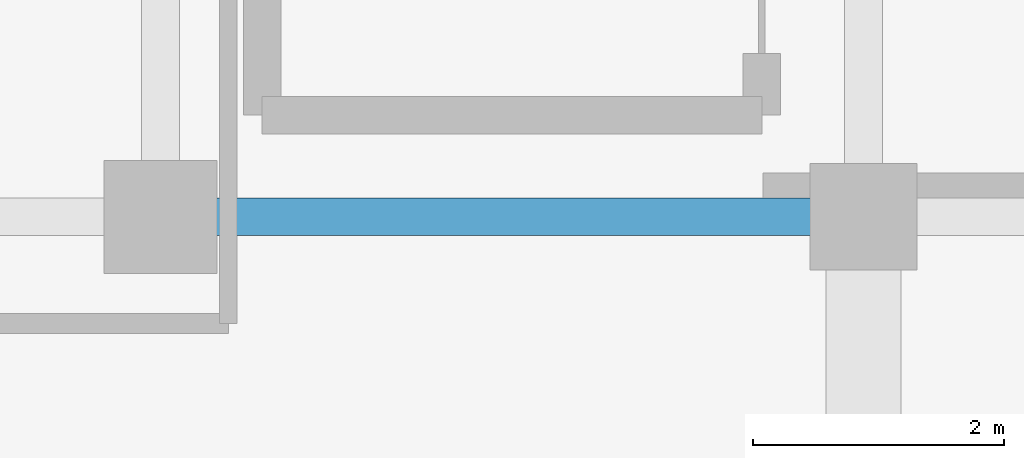
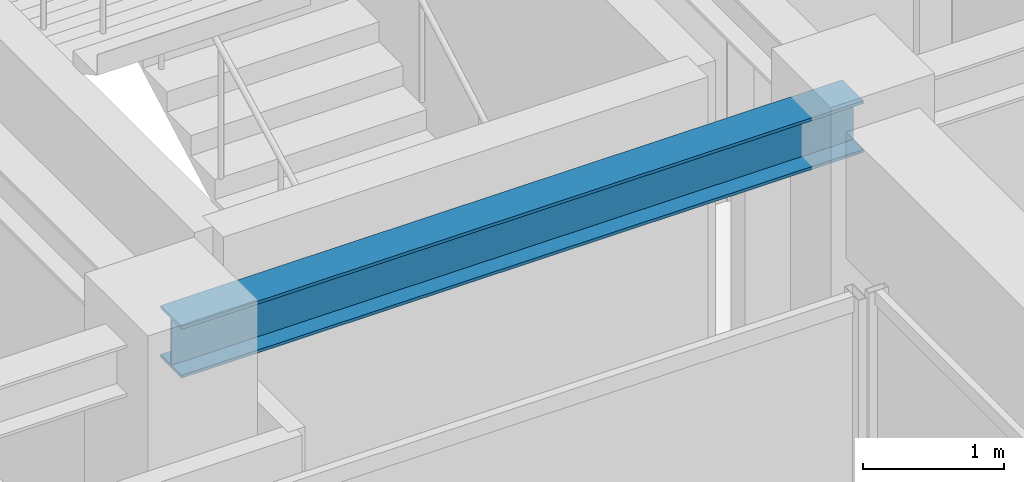
# One storey, part 15 of 41: 1 beam.
"""IFC4 building model written with IfcOpenShell, lengths in metres."""

from ifc_helpers import new_model, si_unit, direction, frame, origin, origin_2d, place, context, subcontext, project, spatial, i_section, extrude, source, transform, mapped, material, material_profile, profile_set, type_object, element, save


model = new_model("IFC4")

# Units and contexts
model_context = context("Model", 3, precision=1e-05, world=origin(), true_north=direction((0.0, 1.0)))
body_context = subcontext(model_context, "Body", "Model", "MODEL_VIEW")
ifc_project = project(units=[si_unit("LENGTHUNIT", "METRE"), si_unit("AREAUNIT", "SQUARE_METRE"), si_unit("VOLUMEUNIT", "CUBIC_METRE"), si_unit("PLANEANGLEUNIT", "RADIAN"), si_unit("MASSUNIT", "GRAM", prefix="KILO")], contexts=[model_context])

# Site, building, storey
site_placement = place(None, origin())
site = spatial("IfcSite", under=ifc_project, at=site_placement, CompositionType="ELEMENT")
building_placement = place(site_placement, origin())
building = spatial("IfcBuilding", under=site, at=building_placement, Name="Nahalor Promenade Grand Hotel", CompositionType="ELEMENT")
storey_placement = place(building_placement, frame((0.0, 0.0, 304.199951171875)))
storey = spatial("IfcBuildingStorey", under=building, at=storey_placement, Name="L78", CompositionType="ELEMENT", Elevation=304.199951171875)

# Beam
ifc_material = material(Name="Steel S355JR", Category="steel")
ifc_material_profile = material_profile(ifc_material, i_section(OverallWidth=0.3, OverallDepth=0.45, WebThickness=0.014, FlangeThickness=0.026, at=origin_2d()), Name="HEB 450")
ifc_profile_set = profile_set([ifc_material_profile], Name="Steel S355JR")
beam_type = type_object("IfcBeamType", Name="Beam-Girder-HEB450", PredefinedType="BEAM", material=ifc_profile_set)
shared_shape = source(origin(), body_context, "Body", "SweptSolid", [
    extrude(i_section(OverallWidth=0.3, OverallDepth=0.45, WebThickness=0.014, FlangeThickness=0.026, at=origin_2d()), origin(), (0.0, 0.0, 1.0), 5.599853515625),
])
beam_placement = place(storey_placement, frame((2.800048828125, 5.39990234375, 3.324951171875), z_axis=(1.0, 0.0, 0.0), x_axis=(0.0, 1.0, 0.0)))
element("IfcBeam", 1, at=beam_placement, inside=storey, type_object=beam_type, Name="BM-L78-GX-2-4", PredefinedType="BEAM", context=body_context, shape_type="MappedRepresentation", body=[
    mapped(shared_shape, transform((0.0, 0.0, 0.0), scale=1.0)),
])

save(model, "model.ifc")
